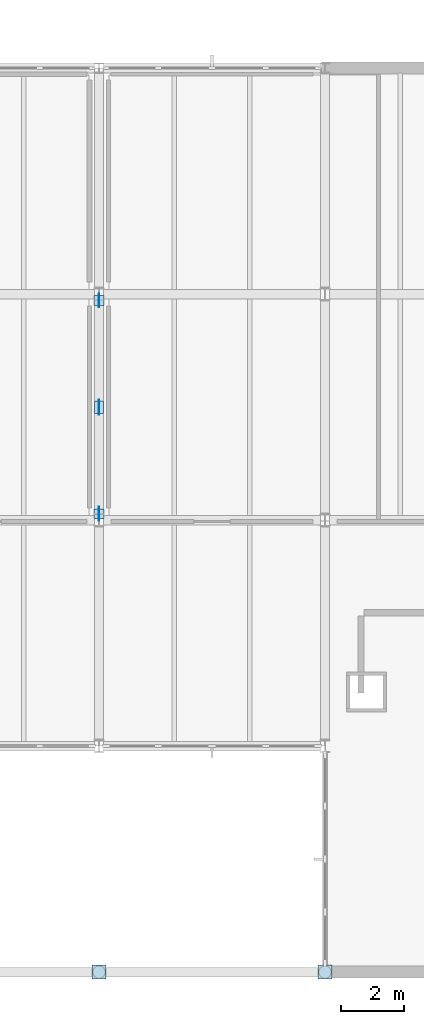
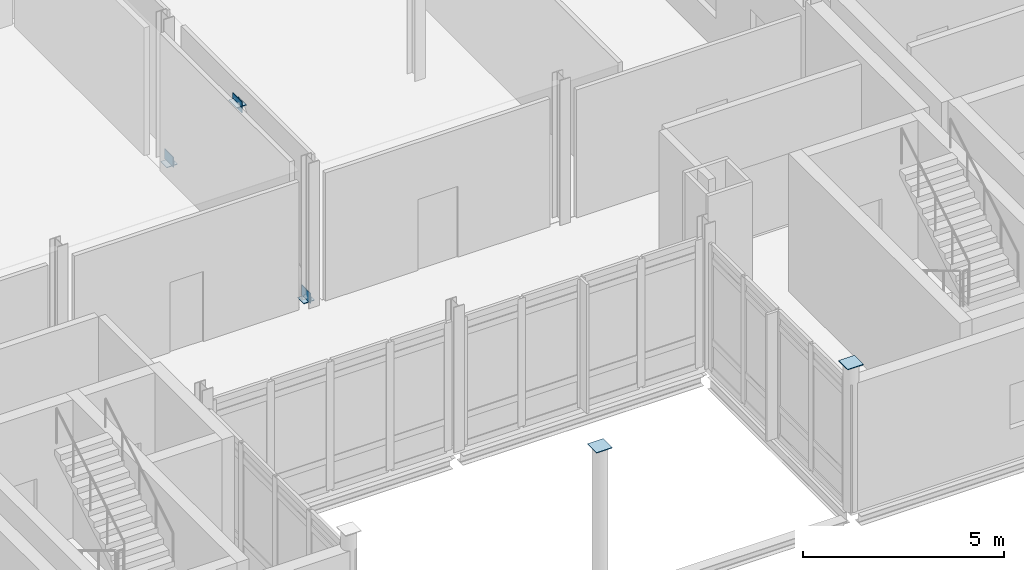
# One storey, part 44 of 76: 8 plates.
"""IFC4 building model written with IfcOpenShell, lengths in metres."""

from ifc_helpers import new_model, si_unit, direction, frame, origin, origin_2d, place, context, subcontext, project, spatial, rectangle, extrude, material, layer, layer_set, type_object, element, save


model = new_model("IFC4")

# Units and contexts
model_context = context("Model", 3, precision=1e-05, world=origin(), true_north=direction((0.0, 1.0)))
body_context = subcontext(model_context, "Body", "Model", "MODEL_VIEW")
ifc_project = project(units=[si_unit("LENGTHUNIT", "METRE"), si_unit("AREAUNIT", "SQUARE_METRE"), si_unit("VOLUMEUNIT", "CUBIC_METRE"), si_unit("PLANEANGLEUNIT", "RADIAN"), si_unit("MASSUNIT", "GRAM", prefix="KILO")], contexts=[model_context])

# Site, building, storey
site_placement = place(None, origin())
site = spatial("IfcSite", under=ifc_project, at=site_placement, CompositionType="ELEMENT")
building_placement = place(site_placement, origin())
building = spatial("IfcBuilding", under=site, at=building_placement, Name="Zarrinpeak Specialist Clinic", CompositionType="ELEMENT")
storey_placement = place(building_placement, frame((0.0, 0.0, 5.199951171875)))
storey = spatial("IfcBuildingStorey", under=building, at=storey_placement, Name="L01", CompositionType="ELEMENT", Elevation=5.199951171875)

# Plates
ifc_material = material(Name="Steel S355", Category="steel")
ifc_layer_1 = layer(ifc_material, 0.01806640625)
ifc_layer_set_1 = layer_set([ifc_layer_1], Name="Steel S355")
plate_type_1 = type_object("IfcPlateType", Name="PL-CAP273", PredefinedType="SHEET", material=ifc_layer_set_1)
for number, where, z_axis, x_axis, name in (
    (1, (43.199951171875, 14.60009765625, 0.0), (0.0, 0.0, 1.0), (1.0, 0.0, 0.0), "V2 L01 Hollow Brace Foot Cap Plate A"),
    (2, (43.199951171875, 21.39990234375, 0.0), (0.0, 0.0, 1.0), (1.0, 0.0, 0.0), "V2 L01 Hollow Brace Foot Cap Plate B"),
):
    element("IfcPlate", number, at=place(storey_placement, frame(where, z_axis=z_axis, x_axis=x_axis)), inside=storey, type_object=plate_type_1, Name=name, PredefinedType="SHEET", context=body_context, shape_type="SweptSolid", body=[
        extrude(rectangle(XDim=0.31005859375, YDim=0.31005859375, at=origin_2d()), origin(), (0.0, 0.0, 1.0), 0.01806640625),
    ])
ifc_layer_2 = layer(ifc_material, 0.02197265625)
ifc_layer_set_2 = layer_set([ifc_layer_2], Name="Steel S355")
plate_type_2 = type_object("IfcPlateType", Name="PL-CAP406", PredefinedType="SHEET", material=ifc_layer_set_2)
for number, where, z_axis, x_axis, name in (
    (3, (43.199951171875, 0.0, 4.39599609375), (0.0, 0.0, 1.0), (1.0, 0.0, 0.0), "L01 Hollow Column Top Cap Plate CCAP-T-064"),
    (4, (50.39990234375, 0.0, 4.39599609375), (0.0, 0.0, 1.0), (1.0, 0.0, 0.0), "L01 Hollow Column Top Cap Plate CCAP-T-065"),
):
    element("IfcPlate", number, at=place(storey_placement, frame(where, z_axis=z_axis, x_axis=x_axis)), inside=storey, type_object=plate_type_2, Name=name, PredefinedType="SHEET", context=body_context, shape_type="SweptSolid", body=[
        extrude(rectangle(XDim=0.449951171875, YDim=0.449951171875, at=origin_2d()), origin(), (0.0, 0.0, 1.0), 0.02197265625),
    ])
ifc_layer_3 = layer(ifc_material, 0.02001953125)
ifc_layer_set_3 = layer_set([ifc_layer_3], Name="Steel S355")
plate_type_3 = type_object("IfcPlateType", Name="PL-GN01", PredefinedType="SHEET", material=ifc_layer_set_3)
plate_1_placement = place(storey_placement, frame((43.199951171875, 18.0, 3.72509765625), z_axis=(0.0, 0.0, 1.0), x_axis=(1.0, 0.0, 0.0)))
element("IfcPlate", 5, at=plate_1_placement, inside=storey, type_object=plate_type_3, Name="V2 L01 Chevron Gusset Node Plate GN-V2-L01", PredefinedType="SHEET", context=body_context, shape_type="SweptSolid", body=[
    extrude(rectangle(XDim=0.02001953125, YDim=0.47998046875, at=origin_2d()), origin(), (0.0, 0.0, 1.0), 0.340087890625),
])
ifc_layer_4 = layer(ifc_material, 0.01611328125)
ifc_layer_set_4 = layer_set([ifc_layer_4], Name="Steel S355")
plate_type_4 = type_object("IfcPlateType", Name="PL-GN02", PredefinedType="SHEET", material=ifc_layer_set_4)
plate_2_placement = place(storey_placement, frame((43.199951171875, 18.0, 3.89306640625), z_axis=(0.0, 0.0, 1.0), x_axis=(1.0, 0.0, 0.0)))
element("IfcPlate", 6, at=plate_2_placement, inside=storey, type_object=plate_type_4, Name="V2 L01 Chevron Apex Seal Plate GNCAP-V2-L01", PredefinedType="SHEET", context=body_context, shape_type="SweptSolid", body=[
    extrude(rectangle(XDim=0.280029296875, YDim=0.39990234375, at=origin_2d()), origin(), (0.0, 0.0, 1.0), 0.01611328125),
])
ifc_layer_5 = layer(ifc_material, 0.01806640625)
ifc_layer_set_5 = layer_set([ifc_layer_5], Name="Steel S355")
plate_type_5 = type_object("IfcPlateType", Name="PL-GN03", PredefinedType="SHEET", material=ifc_layer_set_5)
for number, where, z_axis, x_axis, name in (
    (7, (43.199951171875, 14.60009765625, 0.005126953125), (0.0, 0.0, 1.0), (1.0, 0.0, 0.0), "V2 L01 Brace Foot Gusset Plate GNF-V2-L01-A"),
    (8, (43.199951171875, 21.39990234375, 0.005126953125), (0.0, 0.0, 1.0), (1.0, 0.0, 0.0), "V2 L01 Brace Foot Gusset Plate GNF-V2-L01-B"),
):
    element("IfcPlate", number, at=place(storey_placement, frame(where, z_axis=z_axis, x_axis=x_axis)), inside=storey, type_object=plate_type_5, Name=name, PredefinedType="SHEET", context=body_context, shape_type="SweptSolid", body=[
        extrude(rectangle(XDim=0.01806640625, YDim=0.43994140625, at=origin_2d()), origin(), (0.0, 0.0, 1.0), 0.31005859375),
    ])

save(model, "model.ifc")
